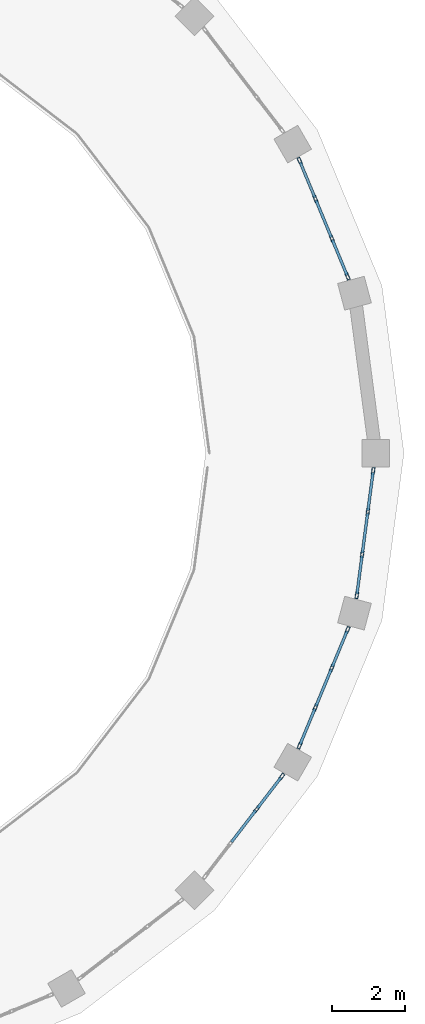
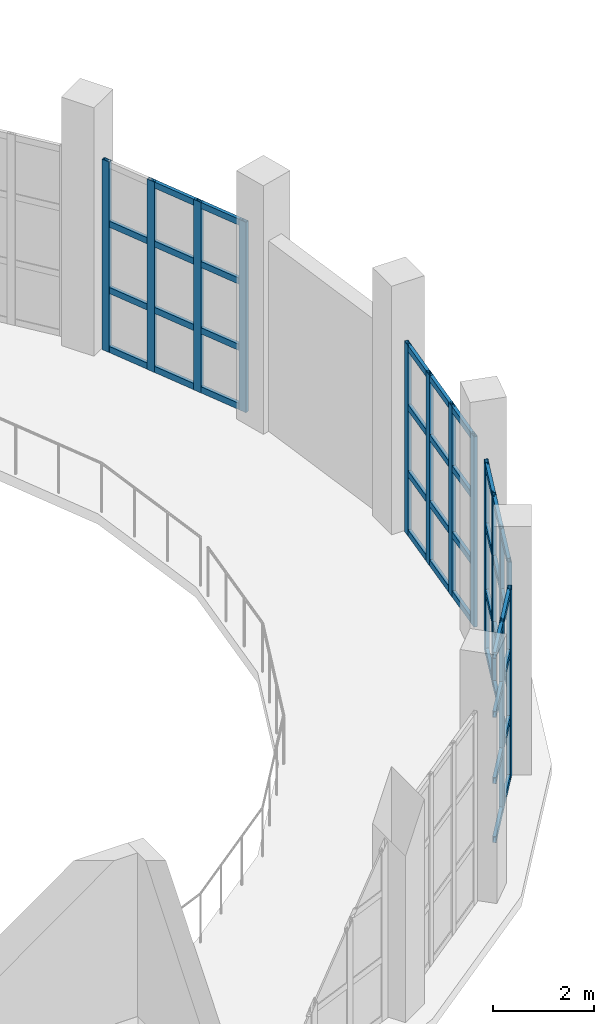
# One storey, part 32 of 59: 57 members, 4 elements without a shape of their own.
"""IFC4 building model written with IfcOpenShell, lengths in metres."""

import ifcopenshell
import ifcopenshell.guid

model = None  # the IFC model being written
_history = None  # IfcOwnerHistory: only IFC2X3 demands one
_inside = {}  # id of a spatial element -> (the spatial element, [elements in it])
_under = {}  # id of a project, library or spatial element -> (it, [spatial elements below it])
_declared = {}  # id of a project -> (the project, [libraries it declares])
_typed = {}  # id of a type object -> (the type object, [elements of that type])
_made_of = {}  # id of a material, layer set ... -> (it, [elements and type objects made of it])


def new_model(schema):
    """Start an empty IFC model of exactly this schema.

    Asked for "IFC4X3", IfcOpenShell would pick the latest addendum, in which some entities
    have other attributes; the version numbers below select the first issue.
    IFC2X3 requires an IfcOwnerHistory on every rooted entity: one is made here for all.
    """
    global model, _history
    if schema == "IFC4X3":
        model = ifcopenshell.file(schema_version=(4, 3, 0, 0))
    else:
        model = ifcopenshell.file(schema=schema)
    _inside.clear()
    _under.clear()
    _declared.clear()
    _typed.clear()
    _made_of.clear()
    _history = None
    if model.schema == "IFC2X3":
        org = make("IfcOrganization", Name="unknown")
        user = make(
            "IfcPersonAndOrganization",
            ThePerson=make("IfcPerson", FamilyName="unknown"),
            TheOrganization=org,
        )
        app = make(
            "IfcApplication",
            ApplicationDeveloper=org,
            Version="unknown",
            ApplicationFullName="unknown",
            ApplicationIdentifier="unknown",
        )
        _history = make(
            "IfcOwnerHistory",
            OwningUser=user,
            OwningApplication=app,
            ChangeAction="ADDED",
            CreationDate=0,
        )
    return model


def make(cls, **values):
    """One entity of the class cls with the attributes given. An attribute that is None is left unset."""
    return model.create_entity(
        cls, **{name: value for name, value in values.items() if value is not None}
    )


def rooted(cls, **values):
    """An entity with a GlobalId (a new one), such as an element, a storey or a relation."""
    return make(cls, GlobalId=ifcopenshell.guid.new(), OwnerHistory=_history, **values)


def si_unit(unit_type, name, prefix=None):
    """IfcSIUnit, for example si_unit("LENGTHUNIT", "METRE", prefix="MILLI")."""
    return make("IfcSIUnit", UnitType=unit_type, Prefix=prefix, Name=name)


def assignment(units):
    """IfcUnitAssignment: the units of a project."""
    return None if units is None else make("IfcUnitAssignment", Units=units)


def point(xyz):
    """IfcCartesianPoint."""
    return None if xyz is None else make("IfcCartesianPoint", Coordinates=xyz)


def direction(xyz):
    """IfcDirection."""
    return None if xyz is None else make("IfcDirection", DirectionRatios=xyz)


def frame(location, z_axis=None, x_axis=None):
    """IfcAxis2Placement3D, a coordinate frame: its origin and axes. An axis left out is left unset."""
    return make(
        "IfcAxis2Placement3D",
        Location=point(location),
        Axis=direction(z_axis),
        RefDirection=direction(x_axis),
    )


def frame_2d(location, x_axis=None):
    """IfcAxis2Placement2D, a coordinate frame in the plane: its origin and x axis."""
    return make(
        "IfcAxis2Placement2D", Location=point(location), RefDirection=direction(x_axis)
    )


def origin():
    """The frame at (0, 0, 0) with its axes left unset."""
    return frame((0.0, 0.0, 0.0))


def origin_2d():
    """The frame at (0, 0) in the plane with its x axis left unset."""
    return frame_2d((0.0, 0.0))


def place(relative_to, where):
    """IfcLocalPlacement: puts the frame where relative to a parent placement (None: the world)."""
    return make(
        "IfcLocalPlacement", PlacementRelTo=relative_to, RelativePlacement=where
    )


def context(
    kind, dimensions, precision=None, world=None, true_north=None, identifier=None
):
    """IfcGeometricRepresentationContext, for example the 3D "Model" context."""
    return make(
        "IfcGeometricRepresentationContext",
        ContextIdentifier=identifier,
        ContextType=kind,
        CoordinateSpaceDimension=dimensions,
        Precision=precision,
        WorldCoordinateSystem=world,
        TrueNorth=true_north,
    )


def subcontext(parent, identifier, kind, view, scale=None):
    """IfcGeometricRepresentationSubContext, for example "Body" below "Model"."""
    return make(
        "IfcGeometricRepresentationSubContext",
        ContextIdentifier=identifier,
        ContextType=kind,
        ParentContext=parent,
        TargetScale=scale,
        TargetView=view,
    )


def project(units=None, contexts=None):
    """IfcProject with its units and contexts."""
    return rooted(
        "IfcProject",
        Name="project",
        RepresentationContexts=contexts,
        UnitsInContext=assignment(units),
    )


def spatial(cls, under=None, at=None, **own):
    """A site, building, storey or space (cls), placed at a placement, below another one or the project."""
    s = rooted(cls, ObjectPlacement=at, **own)
    if under is not None:
        _under.setdefault(under.id(), (under, []))[1].append(s)
    return s


def profile(cls, at=None, kind="AREA", **sizes):
    """A parametric profile (cls). Its sizes go by their IFC names, for example OverallWidth=200.0."""
    return make(cls, ProfileType=kind, Position=at, **sizes)


def hollow_rectangle(**sizes):
    """IfcRectangleHollowProfileDef."""
    return profile("IfcRectangleHollowProfileDef", **sizes)


def extrude(swept, where, along, depth):
    """IfcExtrudedAreaSolid: the profile swept, set in the frame where, extruded along a direction by depth."""
    return make(
        "IfcExtrudedAreaSolid",
        SweptArea=swept,
        Position=where,
        ExtrudedDirection=direction(along),
        Depth=depth,
    )


def shape(context_of_items, identifier, shape_type, items):
    """IfcShapeRepresentation: the items that make up one representation, for example the "Body"."""
    return make(
        "IfcShapeRepresentation",
        ContextOfItems=context_of_items,
        RepresentationIdentifier=identifier,
        RepresentationType=shape_type,
        Items=items,
    )


def material(Name=None, Category=None):
    """IfcMaterial."""
    return make("IfcMaterial", Name=Name, Category=Category)


def layer(
    of_material, thickness, ventilated=None, Name=None, Category=None, Priority=None
):
    """IfcMaterialLayer: one layer of a wall or slab, of a material (None: an air gap)."""
    return make(
        "IfcMaterialLayer",
        Material=of_material,
        LayerThickness=thickness,
        IsVentilated=ventilated,
        Name=Name,
        Category=Category,
        Priority=Priority,
    )


def layer_set(layers, Name=None):
    """IfcMaterialLayerSet."""
    return make("IfcMaterialLayerSet", MaterialLayers=layers, LayerSetName=Name)


def material_profile(
    of_material, cross_section, Name=None, Category=None, Priority=None
):
    """IfcMaterialProfile: a cross section and its material."""
    return make(
        "IfcMaterialProfile",
        Name=Name,
        Material=of_material,
        Profile=cross_section,
        Priority=Priority,
        Category=Category,
    )


def profile_set(profiles, Name=None, composite=None):
    """IfcMaterialProfileSet."""
    return make(
        "IfcMaterialProfileSet",
        Name=Name,
        MaterialProfiles=profiles,
        CompositeProfile=composite,
    )


def made_of(thing, what):
    """Note that an element or type object is made of a material, layer set ...; save() writes the relation."""
    if what is not None:
        _made_of.setdefault(what.id(), (what, []))[1].append(thing)
    return thing


def type_object(cls, material=None, **own):
    """A type object (cls), such as IfcWallType, which elements share."""
    return made_of(rooted(cls, **own), material)


def element(
    cls,
    number,
    at=None,
    inside=None,
    cuts=None,
    type_object=None,
    material=None,
    context=None,
    identifier="Body",
    shape_type=None,
    held_by="IfcProductDefinitionShape",
    body=None,
    shapes=None,
    **own,
):
    """One element of the class cls, such as IfcWall. Its Tag is "e" and its number.

    at: its placement. inside: the storey or other place that contains it. cuts: it is an
    opening in that element (IfcRelVoidsElement). A single representation is given by context,
    identifier, shape_type and body (its items); several are given by shapes. held_by: the class
    of the entity that holds the representations. save() writes the other relations.
    """
    e = rooted(cls, Tag="e%d" % number, ObjectPlacement=at, **own)
    if body is not None:
        shapes = [shape(context, identifier, shape_type, body)]
    if shapes is not None:
        e.Representation = make(held_by, Representations=shapes)
    if inside is not None:
        _inside.setdefault(inside.id(), (inside, []))[1].append(e)
    if cuts is not None:
        rooted(
            "IfcRelVoidsElement", RelatingBuildingElement=cuts, RelatedOpeningElement=e
        )
    if type_object is not None:
        _typed.setdefault(type_object.id(), (type_object, []))[1].append(e)
    return made_of(e, material)


def aggregate(whole, parts):
    """IfcRelAggregates: a whole, such as a stair, and the parts it consists of."""
    return rooted("IfcRelAggregates", RelatingObject=whole, RelatedObjects=parts)


def save(model, path):
    """Write the relations noted so far, then the file.

    IfcRelAggregates (storeys below a building ...), IfcRelContainedInSpatialStructure (elements
    in a storey), IfcRelDefinesByType, IfcRelAssociatesMaterial and IfcRelDeclares: one each for
    every whole, place, type object, material and project.
    """
    for whole, parts in _under.values():
        aggregate(whole, parts)
    for where, things in _inside.values():
        rooted(
            "IfcRelContainedInSpatialStructure",
            RelatedElements=things,
            RelatingStructure=where,
        )
    for kind, things in _typed.values():
        rooted("IfcRelDefinesByType", RelatedObjects=things, RelatingType=kind)
    for what, things in _made_of.values():
        rooted("IfcRelAssociatesMaterial", RelatedObjects=things, RelatingMaterial=what)
    for by, libraries in _declared.values():
        rooted("IfcRelDeclares", RelatingContext=by, RelatedDefinitions=libraries)
    model.write(path)


model = new_model("IFC4")

# Units and contexts
model_context = context("Model", 3, precision=1e-05, world=origin(), true_north=direction((0.0, 1.0)))
body_context = subcontext(model_context, "Body", "Model", "MODEL_VIEW")
ifc_project = project(units=[si_unit("LENGTHUNIT", "METRE"), si_unit("AREAUNIT", "SQUARE_METRE"), si_unit("VOLUMEUNIT", "CUBIC_METRE"), si_unit("PLANEANGLEUNIT", "RADIAN"), si_unit("MASSUNIT", "GRAM", prefix="KILO")], contexts=[model_context])

# Site, building, storey
site_placement = place(None, origin())
site = spatial("IfcSite", under=ifc_project, at=site_placement, CompositionType="ELEMENT")
building_placement = place(site_placement, origin())
building = spatial("IfcBuilding", under=site, at=building_placement, Name="Kandorven Conservatory and Botanical Research Centre", CompositionType="ELEMENT")
storey_placement = place(building_placement, frame((0.0, 0.0, 4.800048828125)))
storey = spatial("IfcBuildingStorey", under=building, at=storey_placement, Name="L01", CompositionType="ELEMENT", Elevation=4.800048828125)

# Curtain wall, members
ifc_material_1 = material(Name="Bronze anodised thermally broken aluminium", Category="aluminium")
ifc_layer = layer(ifc_material_1, 0.179931640625)
ifc_layer_set = layer_set([ifc_layer], Name="Bronze anodised thermally broken aluminium")
curtain_wall_type = type_object("IfcCurtainWallType", Name="CW_Clerestory", PredefinedType="USERDEFINED", material=ifc_layer_set)
curtain_wall_1_placement = place(storey_placement, origin())
curtain_wall_1 = element("IfcCurtainWall", 1, at=curtain_wall_1_placement, inside=storey, type_object=curtain_wall_type, Name="Conservatory drum clerestory glazing CW-DRUM-L01-02", ObjectType="CLERESTORY GLAZING", PredefinedType="USERDEFINED")
ifc_material_2 = material(Name="Bronze anodised thermally broken aluminium", Category="aluminium")
ifc_material_profile_1 = material_profile(ifc_material_2, hollow_rectangle(XDim=0.080078125, YDim=0.179931640625, WallThickness=0.006103515625, at=origin_2d()))
ifc_profile_set_1 = profile_set([ifc_material_profile_1], Name="Bronze anodised thermally broken aluminium")
member_type_1 = type_object("IfcMemberType", Name="CW_Mullion", PredefinedType="MULLION", material=ifc_profile_set_1)
member_1_placement = place(storey_placement, frame((103.664306640625, 52.607177734375, 0.0), z_axis=(0.0, 0.0, 1.0), x_axis=(-0.92388561262, -0.382668753353, 0.0)))
member_1 = element("IfcMember", 2, at=member_1_placement, type_object=member_type_1, Name="CW-02 mullion 1", PredefinedType="MULLION", context=body_context, shape_type="SweptSolid", body=[
    extrude(hollow_rectangle(XDim=0.080078125, YDim=0.179931640625, WallThickness=0.006103515625, at=origin_2d()), origin(), (0.0, 0.0, 1.0), 4.599853515625),
])
member_2_placement = place(storey_placement, frame((103.234130859375, 53.645751953125, 0.0), z_axis=(0.0, 0.0, 1.0), x_axis=(-0.92388561262, -0.382668753353, 0.0)))
member_2 = element("IfcMember", 3, at=member_2_placement, type_object=member_type_1, Name="CW-02 mullion 2", PredefinedType="MULLION", context=body_context, shape_type="SweptSolid", body=[
    extrude(hollow_rectangle(XDim=0.080078125, YDim=0.179931640625, WallThickness=0.006103515625, at=origin_2d()), origin(), (0.0, 0.0, 1.0), 4.599853515625),
])
member_3_placement = place(storey_placement, frame((102.78857421875, 54.72119140625, 0.0), z_axis=(0.0, 0.0, 1.0), x_axis=(-0.92388561262, -0.382668753353, 0.0)))
member_3 = element("IfcMember", 4, at=member_3_placement, type_object=member_type_1, Name="CW-02 mullion 3", PredefinedType="MULLION", context=body_context, shape_type="SweptSolid", body=[
    extrude(hollow_rectangle(XDim=0.080078125, YDim=0.179931640625, WallThickness=0.006103515625, at=origin_2d()), origin(), (0.0, 0.0, 1.0), 4.599853515625),
])
member_4_placement = place(storey_placement, frame((102.3583984375, 55.759765625, 0.0), z_axis=(0.0, 0.0, 1.0), x_axis=(-0.92388561262, -0.382668753353, 0.0)))
member_4 = element("IfcMember", 5, at=member_4_placement, type_object=member_type_1, Name="CW-02 mullion 4", PredefinedType="MULLION", context=body_context, shape_type="SweptSolid", body=[
    extrude(hollow_rectangle(XDim=0.080078125, YDim=0.179931640625, WallThickness=0.006103515625, at=origin_2d()), origin(), (0.0, 0.0, 1.0), 4.599853515625),
])

curtain_wall_2_placement = place(storey_placement, origin())
curtain_wall_2 = element("IfcCurtainWall", 6, at=curtain_wall_2_placement, inside=storey, type_object=curtain_wall_type, Name="Conservatory drum clerestory glazing CW-DRUM-L01-22", ObjectType="CLERESTORY GLAZING", PredefinedType="USERDEFINED")
member_5_placement = place(storey_placement, frame((101.188232421875, 38.10693359375, 0.0), z_axis=(0.0, 0.0, 1.0), x_axis=(-0.793347276456, 0.608769331471, 0.0)))
member_5 = element("IfcMember", 7, at=member_5_placement, type_object=member_type_1, Name="CW-02 mullion 3", PredefinedType="MULLION", context=body_context, shape_type="SweptSolid", body=[
    extrude(hollow_rectangle(XDim=0.080078125, YDim=0.179931640625, WallThickness=0.006103515625, at=origin_2d()), origin(), (0.0, 0.0, 1.0), 4.599853515625),
])
member_6_placement = place(storey_placement, frame((101.87255859375, 38.998779296875, 0.0), z_axis=(0.0, 0.0, 1.0), x_axis=(-0.793347276456, 0.608769331471, 0.0)))
member_6 = element("IfcMember", 8, at=member_6_placement, type_object=member_type_1, Name="CW-02 mullion 4", PredefinedType="MULLION", context=body_context, shape_type="SweptSolid", body=[
    extrude(hollow_rectangle(XDim=0.080078125, YDim=0.179931640625, WallThickness=0.006103515625, at=origin_2d()), origin(), (0.0, 0.0, 1.0), 4.599853515625),
])

curtain_wall_3_placement = place(storey_placement, origin())
curtain_wall_3 = element("IfcCurtainWall", 9, at=curtain_wall_3_placement, inside=storey, type_object=curtain_wall_type, Name="Conservatory drum clerestory glazing CW-DRUM-L01-23", ObjectType="CLERESTORY GLAZING", PredefinedType="USERDEFINED")
member_7_placement = place(storey_placement, frame((102.3583984375, 39.840087890625, 0.0), z_axis=(0.0, 0.0, 1.0), x_axis=(-0.92388561262, 0.382668753353, 0.0)))
member_7 = element("IfcMember", 10, at=member_7_placement, type_object=member_type_1, Name="CW-02 mullion 1", PredefinedType="MULLION", context=body_context, shape_type="SweptSolid", body=[
    extrude(hollow_rectangle(XDim=0.080078125, YDim=0.179931640625, WallThickness=0.006103515625, at=origin_2d()), origin(), (0.0, 0.0, 1.0), 4.599853515625),
])
member_8_placement = place(storey_placement, frame((102.78857421875, 40.878662109375, 0.0), z_axis=(0.0, 0.0, 1.0), x_axis=(-0.92388561262, 0.382668753353, 0.0)))
member_8 = element("IfcMember", 11, at=member_8_placement, type_object=member_type_1, Name="CW-02 mullion 2", PredefinedType="MULLION", context=body_context, shape_type="SweptSolid", body=[
    extrude(hollow_rectangle(XDim=0.080078125, YDim=0.179931640625, WallThickness=0.006103515625, at=origin_2d()), origin(), (0.0, 0.0, 1.0), 4.599853515625),
])
member_9_placement = place(storey_placement, frame((103.234130859375, 41.9541015625, 0.0), z_axis=(0.0, 0.0, 1.0), x_axis=(-0.92388561262, 0.382668753353, 0.0)))
member_9 = element("IfcMember", 12, at=member_9_placement, type_object=member_type_1, Name="CW-02 mullion 3", PredefinedType="MULLION", context=body_context, shape_type="SweptSolid", body=[
    extrude(hollow_rectangle(XDim=0.080078125, YDim=0.179931640625, WallThickness=0.006103515625, at=origin_2d()), origin(), (0.0, 0.0, 1.0), 4.599853515625),
])
member_10_placement = place(storey_placement, frame((103.664306640625, 42.99267578125, 0.0), z_axis=(0.0, 0.0, 1.0), x_axis=(-0.92388561262, 0.382668753353, 0.0)))
member_10 = element("IfcMember", 13, at=member_10_placement, type_object=member_type_1, Name="CW-02 mullion 4", PredefinedType="MULLION", context=body_context, shape_type="SweptSolid", body=[
    extrude(hollow_rectangle(XDim=0.080078125, YDim=0.179931640625, WallThickness=0.006103515625, at=origin_2d()), origin(), (0.0, 0.0, 1.0), 4.599853515625),
])

curtain_wall_4_placement = place(storey_placement, origin())
curtain_wall_4 = element("IfcCurtainWall", 14, at=curtain_wall_4_placement, inside=storey, type_object=curtain_wall_type, Name="Conservatory drum clerestory glazing CW-DRUM-L01-24", ObjectType="CLERESTORY GLAZING", PredefinedType="USERDEFINED")
member_11_placement = place(storey_placement, frame((103.91552734375, 43.93115234375, 0.0), z_axis=(0.0, 0.0, 1.0), x_axis=(-0.991441424913, 0.130552292075, 0.0)))
member_11 = element("IfcMember", 15, at=member_11_placement, type_object=member_type_1, Name="CW-02 mullion 1", PredefinedType="MULLION", context=body_context, shape_type="SweptSolid", body=[
    extrude(hollow_rectangle(XDim=0.080078125, YDim=0.179931640625, WallThickness=0.006103515625, at=origin_2d()), origin(), (0.0, 0.0, 1.0), 4.599853515625),
])
member_12_placement = place(storey_placement, frame((104.062255859375, 45.045654296875, 0.0), z_axis=(0.0, 0.0, 1.0), x_axis=(-0.991441424913, 0.130552292075, 0.0)))
member_12 = element("IfcMember", 16, at=member_12_placement, type_object=member_type_1, Name="CW-02 mullion 2", PredefinedType="MULLION", context=body_context, shape_type="SweptSolid", body=[
    extrude(hollow_rectangle(XDim=0.080078125, YDim=0.179931640625, WallThickness=0.006103515625, at=origin_2d()), origin(), (0.0, 0.0, 1.0), 4.599853515625),
])
member_13_placement = place(storey_placement, frame((104.21435546875, 46.19970703125, 0.0), z_axis=(0.0, 0.0, 1.0), x_axis=(-0.991441424913, 0.130552292075, 0.0)))
member_13 = element("IfcMember", 17, at=member_13_placement, type_object=member_type_1, Name="CW-02 mullion 3", PredefinedType="MULLION", context=body_context, shape_type="SweptSolid", body=[
    extrude(hollow_rectangle(XDim=0.080078125, YDim=0.179931640625, WallThickness=0.006103515625, at=origin_2d()), origin(), (0.0, 0.0, 1.0), 4.599853515625),
])
member_14_placement = place(storey_placement, frame((104.361083984375, 47.314208984375, 0.0), z_axis=(0.0, 0.0, 1.0), x_axis=(-0.991441424913, 0.130552292075, 0.0)))
member_14 = element("IfcMember", 18, at=member_14_placement, type_object=member_type_1, Name="CW-02 mullion 4", PredefinedType="MULLION", context=body_context, shape_type="SweptSolid", body=[
    extrude(hollow_rectangle(XDim=0.080078125, YDim=0.179931640625, WallThickness=0.006103515625, at=origin_2d()), origin(), (0.0, 0.0, 1.0), 4.599853515625),
])

# Member
ifc_material_3 = material(Name="Bronze anodised thermally broken aluminium", Category="aluminium")
ifc_material_profile_2 = material_profile(ifc_material_3, hollow_rectangle(XDim=0.074951171875, YDim=0.14990234375, WallThickness=0.006103515625, at=origin_2d()))
ifc_profile_set_2 = profile_set([ifc_material_profile_2], Name="Bronze anodised thermally broken aluminium")
member_type_2 = type_object("IfcMemberType", Name="CW_Transom", PredefinedType="USERDEFINED", material=ifc_profile_set_2)
member_15_placement = place(storey_placement, frame((103.64892578125, 52.644287109375, 0.074951171875), z_axis=(-0.382771688877, 0.923842970528, 0.0), x_axis=(-0.923842970528, -0.382771688877, 0.0)))
member_15 = element("IfcMember", 19, at=member_15_placement, type_object=member_type_2, Name="CW-02 transom 1.1", ObjectType="TRANSOM", PredefinedType="USERDEFINED", context=body_context, shape_type="SweptSolid", body=[
    extrude(hollow_rectangle(XDim=0.074951171875, YDim=0.14990234375, WallThickness=0.006103515625, at=origin_2d()), origin(), (0.0, 0.0, 1.0), 1.044189453125),
])

member_16_placement = place(storey_placement, frame((103.64892578125, 52.644287109375, 1.5), z_axis=(-0.382771688877, 0.923842970528, 0.0), x_axis=(-0.923842970528, -0.382771688877, 0.0)))
member_16 = element("IfcMember", 20, at=member_16_placement, type_object=member_type_2, Name="CW-02 transom 1.2", ObjectType="TRANSOM", PredefinedType="USERDEFINED", context=body_context, shape_type="SweptSolid", body=[
    extrude(hollow_rectangle(XDim=0.074951171875, YDim=0.14990234375, WallThickness=0.006103515625, at=origin_2d()), origin(), (0.0, 0.0, 1.0), 1.044189453125),
])

member_17_placement = place(storey_placement, frame((103.64892578125, 52.644287109375, 3.099853515625), z_axis=(-0.382771688877, 0.923842970528, 0.0), x_axis=(-0.923842970528, -0.382771688877, 0.0)))
member_17 = element("IfcMember", 21, at=member_17_placement, type_object=member_type_2, Name="CW-02 transom 1.3", ObjectType="TRANSOM", PredefinedType="USERDEFINED", context=body_context, shape_type="SweptSolid", body=[
    extrude(hollow_rectangle(XDim=0.074951171875, YDim=0.14990234375, WallThickness=0.006103515625, at=origin_2d()), origin(), (0.0, 0.0, 1.0), 1.044189453125),
])

member_18_placement = place(storey_placement, frame((103.64892578125, 52.644287109375, 4.52490234375), z_axis=(-0.382771688877, 0.923842970528, 0.0), x_axis=(-0.923842970528, -0.382771688877, 0.0)))
member_18 = element("IfcMember", 22, at=member_18_placement, type_object=member_type_2, Name="CW-02 transom 1.4", ObjectType="TRANSOM", PredefinedType="USERDEFINED", context=body_context, shape_type="SweptSolid", body=[
    extrude(hollow_rectangle(XDim=0.074951171875, YDim=0.14990234375, WallThickness=0.006103515625, at=origin_2d()), origin(), (0.0, 0.0, 1.0), 1.044189453125),
])

member_19_placement = place(storey_placement, frame((103.21875, 53.682861328125, 0.074951171875), z_axis=(-0.382663432515, 0.923887816467, 0.0), x_axis=(-0.923887816467, -0.382663432515, 0.0)))
member_19 = element("IfcMember", 23, at=member_19_placement, type_object=member_type_2, Name="CW-02 transom 2.1", ObjectType="TRANSOM", PredefinedType="USERDEFINED", context=body_context, shape_type="SweptSolid", body=[
    extrude(hollow_rectangle(XDim=0.074951171875, YDim=0.14990234375, WallThickness=0.006103515625, at=origin_2d()), origin(), (0.0, 0.0, 1.0), 1.083984375),
])

member_20_placement = place(storey_placement, frame((103.21875, 53.682861328125, 1.5), z_axis=(-0.382663432515, 0.923887816467, 0.0), x_axis=(-0.923887816467, -0.382663432515, 0.0)))
member_20 = element("IfcMember", 24, at=member_20_placement, type_object=member_type_2, Name="CW-02 transom 2.2", ObjectType="TRANSOM", PredefinedType="USERDEFINED", context=body_context, shape_type="SweptSolid", body=[
    extrude(hollow_rectangle(XDim=0.074951171875, YDim=0.14990234375, WallThickness=0.006103515625, at=origin_2d()), origin(), (0.0, 0.0, 1.0), 1.083984375),
])

member_21_placement = place(storey_placement, frame((103.21875, 53.682861328125, 3.099853515625), z_axis=(-0.382663432515, 0.923887816467, 0.0), x_axis=(-0.923887816467, -0.382663432515, 0.0)))
member_21 = element("IfcMember", 25, at=member_21_placement, type_object=member_type_2, Name="CW-02 transom 2.3", ObjectType="TRANSOM", PredefinedType="USERDEFINED", context=body_context, shape_type="SweptSolid", body=[
    extrude(hollow_rectangle(XDim=0.074951171875, YDim=0.14990234375, WallThickness=0.006103515625, at=origin_2d()), origin(), (0.0, 0.0, 1.0), 1.083984375),
])

member_22_placement = place(storey_placement, frame((103.21875, 53.682861328125, 4.52490234375), z_axis=(-0.382663432515, 0.923887816467, 0.0), x_axis=(-0.923887816467, -0.382663432515, 0.0)))
member_22 = element("IfcMember", 26, at=member_22_placement, type_object=member_type_2, Name="CW-02 transom 2.4", ObjectType="TRANSOM", PredefinedType="USERDEFINED", context=body_context, shape_type="SweptSolid", body=[
    extrude(hollow_rectangle(XDim=0.074951171875, YDim=0.14990234375, WallThickness=0.006103515625, at=origin_2d()), origin(), (0.0, 0.0, 1.0), 1.083984375),
])

member_23_placement = place(storey_placement, frame((102.773193359375, 54.75830078125, 0.074951171875), z_axis=(-0.382572095676, 0.923925641819, 0.0), x_axis=(-0.923925641819, -0.382572095676, 0.0)))
member_23 = element("IfcMember", 27, at=member_23_placement, type_object=member_type_2, Name="CW-02 transom 3.1", ObjectType="TRANSOM", PredefinedType="USERDEFINED", context=body_context, shape_type="SweptSolid", body=[
    extrude(hollow_rectangle(XDim=0.074951171875, YDim=0.14990234375, WallThickness=0.006103515625, at=origin_2d()), origin(), (0.0, 0.0, 1.0), 1.0439453125),
])

member_24_placement = place(storey_placement, frame((102.773193359375, 54.75830078125, 1.5), z_axis=(-0.382572095676, 0.923925641819, 0.0), x_axis=(-0.923925641819, -0.382572095676, 0.0)))
member_24 = element("IfcMember", 28, at=member_24_placement, type_object=member_type_2, Name="CW-02 transom 3.2", ObjectType="TRANSOM", PredefinedType="USERDEFINED", context=body_context, shape_type="SweptSolid", body=[
    extrude(hollow_rectangle(XDim=0.074951171875, YDim=0.14990234375, WallThickness=0.006103515625, at=origin_2d()), origin(), (0.0, 0.0, 1.0), 1.0439453125),
])

member_25_placement = place(storey_placement, frame((102.773193359375, 54.75830078125, 3.099853515625), z_axis=(-0.382572095676, 0.923925641819, 0.0), x_axis=(-0.923925641819, -0.382572095676, 0.0)))
member_25 = element("IfcMember", 29, at=member_25_placement, type_object=member_type_2, Name="CW-02 transom 3.3", ObjectType="TRANSOM", PredefinedType="USERDEFINED", context=body_context, shape_type="SweptSolid", body=[
    extrude(hollow_rectangle(XDim=0.074951171875, YDim=0.14990234375, WallThickness=0.006103515625, at=origin_2d()), origin(), (0.0, 0.0, 1.0), 1.0439453125),
])

aggregate(curtain_wall_1, [member_1, member_2, member_3, member_4, member_15, member_16, member_17, member_18, member_19, member_20, member_21, member_22, member_23, member_24, member_25])

member_26_placement = place(storey_placement, frame((100.50390625, 37.215087890625, 0.074951171875), z_axis=(0.608861626468, 0.793276446023, 0.0), x_axis=(-0.793276446023, 0.608861626468, 0.0)))
member_26 = element("IfcMember", 30, at=member_26_placement, type_object=member_type_2, Name="CW-02 transom 2.1", ObjectType="TRANSOM", PredefinedType="USERDEFINED", context=body_context, shape_type="SweptSolid", body=[
    extrude(hollow_rectangle(XDim=0.074951171875, YDim=0.14990234375, WallThickness=0.006103515625, at=origin_2d()), origin(), (0.0, 0.0, 1.0), 1.084228515625),
])

member_27_placement = place(storey_placement, frame((100.50390625, 37.215087890625, 1.5), z_axis=(0.608861626468, 0.793276446023, 0.0), x_axis=(-0.793276446023, 0.608861626468, 0.0)))
member_27 = element("IfcMember", 31, at=member_27_placement, type_object=member_type_2, Name="CW-02 transom 2.2", ObjectType="TRANSOM", PredefinedType="USERDEFINED", context=body_context, shape_type="SweptSolid", body=[
    extrude(hollow_rectangle(XDim=0.074951171875, YDim=0.14990234375, WallThickness=0.006103515625, at=origin_2d()), origin(), (0.0, 0.0, 1.0), 1.084228515625),
])

member_28_placement = place(storey_placement, frame((100.50390625, 37.215087890625, 3.099853515625), z_axis=(0.608861626468, 0.793276446023, 0.0), x_axis=(-0.793276446023, 0.608861626468, 0.0)))
member_28 = element("IfcMember", 32, at=member_28_placement, type_object=member_type_2, Name="CW-02 transom 2.3", ObjectType="TRANSOM", PredefinedType="USERDEFINED", context=body_context, shape_type="SweptSolid", body=[
    extrude(hollow_rectangle(XDim=0.074951171875, YDim=0.14990234375, WallThickness=0.006103515625, at=origin_2d()), origin(), (0.0, 0.0, 1.0), 1.084228515625),
])

member_29_placement = place(storey_placement, frame((100.50390625, 37.215087890625, 4.52490234375), z_axis=(0.608861626468, 0.793276446023, 0.0), x_axis=(-0.793276446023, 0.608861626468, 0.0)))
member_29 = element("IfcMember", 33, at=member_29_placement, type_object=member_type_2, Name="CW-02 transom 2.4", ObjectType="TRANSOM", PredefinedType="USERDEFINED", context=body_context, shape_type="SweptSolid", body=[
    extrude(hollow_rectangle(XDim=0.074951171875, YDim=0.14990234375, WallThickness=0.006103515625, at=origin_2d()), origin(), (0.0, 0.0, 1.0), 1.084228515625),
])

member_30_placement = place(storey_placement, frame((101.212646484375, 38.138671875, 0.074951171875), z_axis=(0.608829050876, 0.793301447628, 0.0), x_axis=(-0.793301447628, 0.608829050876, 0.0)))
member_30 = element("IfcMember", 34, at=member_30_placement, type_object=member_type_2, Name="CW-02 transom 3.1", ObjectType="TRANSOM", PredefinedType="USERDEFINED", context=body_context, shape_type="SweptSolid", body=[
    extrude(hollow_rectangle(XDim=0.074951171875, YDim=0.14990234375, WallThickness=0.006103515625, at=origin_2d()), origin(), (0.0, 0.0, 1.0), 1.044189453125),
])

member_31_placement = place(storey_placement, frame((101.212646484375, 38.138671875, 1.5), z_axis=(0.608829050876, 0.793301447628, 0.0), x_axis=(-0.793301447628, 0.608829050876, 0.0)))
member_31 = element("IfcMember", 35, at=member_31_placement, type_object=member_type_2, Name="CW-02 transom 3.2", ObjectType="TRANSOM", PredefinedType="USERDEFINED", context=body_context, shape_type="SweptSolid", body=[
    extrude(hollow_rectangle(XDim=0.074951171875, YDim=0.14990234375, WallThickness=0.006103515625, at=origin_2d()), origin(), (0.0, 0.0, 1.0), 1.044189453125),
])

member_32_placement = place(storey_placement, frame((101.212646484375, 38.138671875, 3.099853515625), z_axis=(0.608829050876, 0.793301447628, 0.0), x_axis=(-0.793301447628, 0.608829050876, 0.0)))
member_32 = element("IfcMember", 36, at=member_32_placement, type_object=member_type_2, Name="CW-02 transom 3.3", ObjectType="TRANSOM", PredefinedType="USERDEFINED", context=body_context, shape_type="SweptSolid", body=[
    extrude(hollow_rectangle(XDim=0.074951171875, YDim=0.14990234375, WallThickness=0.006103515625, at=origin_2d()), origin(), (0.0, 0.0, 1.0), 1.044189453125),
])

member_33_placement = place(storey_placement, frame((101.212646484375, 38.138671875, 4.52490234375), z_axis=(0.608829050876, 0.793301447628, 0.0), x_axis=(-0.793301447628, 0.608829050876, 0.0)))
member_33 = element("IfcMember", 37, at=member_33_placement, type_object=member_type_2, Name="CW-02 transom 3.4", ObjectType="TRANSOM", PredefinedType="USERDEFINED", context=body_context, shape_type="SweptSolid", body=[
    extrude(hollow_rectangle(XDim=0.074951171875, YDim=0.14990234375, WallThickness=0.006103515625, at=origin_2d()), origin(), (0.0, 0.0, 1.0), 1.044189453125),
])

aggregate(curtain_wall_2, [member_5, member_6, member_26, member_27, member_28, member_29, member_30, member_31, member_32, member_33])

member_34_placement = place(storey_placement, frame((102.373779296875, 39.877197265625, 0.074951171875), z_axis=(0.382572095676, 0.923925641819, 0.0), x_axis=(-0.923925641819, 0.382572095676, 0.0)))
member_34 = element("IfcMember", 38, at=member_34_placement, type_object=member_type_2, Name="CW-02 transom 1.1", ObjectType="TRANSOM", PredefinedType="USERDEFINED", context=body_context, shape_type="SweptSolid", body=[
    extrude(hollow_rectangle(XDim=0.074951171875, YDim=0.14990234375, WallThickness=0.006103515625, at=origin_2d()), origin(), (0.0, 0.0, 1.0), 1.0439453125),
])

member_35_placement = place(storey_placement, frame((102.373779296875, 39.877197265625, 1.5), z_axis=(0.382572095676, 0.923925641819, 0.0), x_axis=(-0.923925641819, 0.382572095676, 0.0)))
member_35 = element("IfcMember", 39, at=member_35_placement, type_object=member_type_2, Name="CW-02 transom 1.2", ObjectType="TRANSOM", PredefinedType="USERDEFINED", context=body_context, shape_type="SweptSolid", body=[
    extrude(hollow_rectangle(XDim=0.074951171875, YDim=0.14990234375, WallThickness=0.006103515625, at=origin_2d()), origin(), (0.0, 0.0, 1.0), 1.0439453125),
])

member_36_placement = place(storey_placement, frame((102.373779296875, 39.877197265625, 3.099853515625), z_axis=(0.382572095676, 0.923925641819, 0.0), x_axis=(-0.923925641819, 0.382572095676, 0.0)))
member_36 = element("IfcMember", 40, at=member_36_placement, type_object=member_type_2, Name="CW-02 transom 1.3", ObjectType="TRANSOM", PredefinedType="USERDEFINED", context=body_context, shape_type="SweptSolid", body=[
    extrude(hollow_rectangle(XDim=0.074951171875, YDim=0.14990234375, WallThickness=0.006103515625, at=origin_2d()), origin(), (0.0, 0.0, 1.0), 1.0439453125),
])

member_37_placement = place(storey_placement, frame((102.373779296875, 39.877197265625, 4.52490234375), z_axis=(0.382572095676, 0.923925641819, 0.0), x_axis=(-0.923925641819, 0.382572095676, 0.0)))
member_37 = element("IfcMember", 41, at=member_37_placement, type_object=member_type_2, Name="CW-02 transom 1.4", ObjectType="TRANSOM", PredefinedType="USERDEFINED", context=body_context, shape_type="SweptSolid", body=[
    extrude(hollow_rectangle(XDim=0.074951171875, YDim=0.14990234375, WallThickness=0.006103515625, at=origin_2d()), origin(), (0.0, 0.0, 1.0), 1.0439453125),
])

member_38_placement = place(storey_placement, frame((102.803955078125, 40.915771484375, 0.074951171875), z_axis=(0.382663432515, 0.923887816467, 0.0), x_axis=(-0.923887816467, 0.382663432515, 0.0)))
member_38 = element("IfcMember", 42, at=member_38_placement, type_object=member_type_2, Name="CW-02 transom 2.1", ObjectType="TRANSOM", PredefinedType="USERDEFINED", context=body_context, shape_type="SweptSolid", body=[
    extrude(hollow_rectangle(XDim=0.074951171875, YDim=0.14990234375, WallThickness=0.006103515625, at=origin_2d()), origin(), (0.0, 0.0, 1.0), 1.083984375),
])

member_39_placement = place(storey_placement, frame((102.803955078125, 40.915771484375, 1.5), z_axis=(0.382663432515, 0.923887816467, 0.0), x_axis=(-0.923887816467, 0.382663432515, 0.0)))
member_39 = element("IfcMember", 43, at=member_39_placement, type_object=member_type_2, Name="CW-02 transom 2.2", ObjectType="TRANSOM", PredefinedType="USERDEFINED", context=body_context, shape_type="SweptSolid", body=[
    extrude(hollow_rectangle(XDim=0.074951171875, YDim=0.14990234375, WallThickness=0.006103515625, at=origin_2d()), origin(), (0.0, 0.0, 1.0), 1.083984375),
])

member_40_placement = place(storey_placement, frame((102.803955078125, 40.915771484375, 3.099853515625), z_axis=(0.382663432515, 0.923887816467, 0.0), x_axis=(-0.923887816467, 0.382663432515, 0.0)))
member_40 = element("IfcMember", 44, at=member_40_placement, type_object=member_type_2, Name="CW-02 transom 2.3", ObjectType="TRANSOM", PredefinedType="USERDEFINED", context=body_context, shape_type="SweptSolid", body=[
    extrude(hollow_rectangle(XDim=0.074951171875, YDim=0.14990234375, WallThickness=0.006103515625, at=origin_2d()), origin(), (0.0, 0.0, 1.0), 1.083984375),
])

member_41_placement = place(storey_placement, frame((102.803955078125, 40.915771484375, 4.52490234375), z_axis=(0.382663432515, 0.923887816467, 0.0), x_axis=(-0.923887816467, 0.382663432515, 0.0)))
member_41 = element("IfcMember", 45, at=member_41_placement, type_object=member_type_2, Name="CW-02 transom 2.4", ObjectType="TRANSOM", PredefinedType="USERDEFINED", context=body_context, shape_type="SweptSolid", body=[
    extrude(hollow_rectangle(XDim=0.074951171875, YDim=0.14990234375, WallThickness=0.006103515625, at=origin_2d()), origin(), (0.0, 0.0, 1.0), 1.083984375),
])

member_42_placement = place(storey_placement, frame((103.249267578125, 41.9912109375, 0.074951171875), z_axis=(0.382771688877, 0.923842970528, 0.0), x_axis=(-0.923842970528, 0.382771688877, 0.0)))
member_42 = element("IfcMember", 46, at=member_42_placement, type_object=member_type_2, Name="CW-02 transom 3.1", ObjectType="TRANSOM", PredefinedType="USERDEFINED", context=body_context, shape_type="SweptSolid", body=[
    extrude(hollow_rectangle(XDim=0.074951171875, YDim=0.14990234375, WallThickness=0.006103515625, at=origin_2d()), origin(), (0.0, 0.0, 1.0), 1.044189453125),
])

member_43_placement = place(storey_placement, frame((103.249267578125, 41.9912109375, 1.5), z_axis=(0.382771688877, 0.923842970528, 0.0), x_axis=(-0.923842970528, 0.382771688877, 0.0)))
member_43 = element("IfcMember", 47, at=member_43_placement, type_object=member_type_2, Name="CW-02 transom 3.2", ObjectType="TRANSOM", PredefinedType="USERDEFINED", context=body_context, shape_type="SweptSolid", body=[
    extrude(hollow_rectangle(XDim=0.074951171875, YDim=0.14990234375, WallThickness=0.006103515625, at=origin_2d()), origin(), (0.0, 0.0, 1.0), 1.044189453125),
])

member_44_placement = place(storey_placement, frame((103.249267578125, 41.9912109375, 3.099853515625), z_axis=(0.382771688877, 0.923842970528, 0.0), x_axis=(-0.923842970528, 0.382771688877, 0.0)))
member_44 = element("IfcMember", 48, at=member_44_placement, type_object=member_type_2, Name="CW-02 transom 3.3", ObjectType="TRANSOM", PredefinedType="USERDEFINED", context=body_context, shape_type="SweptSolid", body=[
    extrude(hollow_rectangle(XDim=0.074951171875, YDim=0.14990234375, WallThickness=0.006103515625, at=origin_2d()), origin(), (0.0, 0.0, 1.0), 1.044189453125),
])

member_45_placement = place(storey_placement, frame((103.249267578125, 41.9912109375, 4.52490234375), z_axis=(0.382771688877, 0.923842970528, 0.0), x_axis=(-0.923842970528, 0.382771688877, 0.0)))
member_45 = element("IfcMember", 49, at=member_45_placement, type_object=member_type_2, Name="CW-02 transom 3.4", ObjectType="TRANSOM", PredefinedType="USERDEFINED", context=body_context, shape_type="SweptSolid", body=[
    extrude(hollow_rectangle(XDim=0.074951171875, YDim=0.14990234375, WallThickness=0.006103515625, at=origin_2d()), origin(), (0.0, 0.0, 1.0), 1.044189453125),
])

aggregate(curtain_wall_3, [member_7, member_8, member_9, member_10, member_34, member_35, member_36, member_37, member_38, member_39, member_40, member_41, member_42, member_43, member_44, member_45])

member_46_placement = place(storey_placement, frame((103.9208984375, 43.970947265625, 0.074951171875), z_axis=(0.130478707622, 0.991451111683, 0.0), x_axis=(-0.991451111683, 0.130478707622, 0.0)))
member_46 = element("IfcMember", 50, at=member_46_placement, type_object=member_type_2, Name="CW-02 transom 1.1", ObjectType="TRANSOM", PredefinedType="USERDEFINED", context=body_context, shape_type="SweptSolid", body=[
    extrude(hollow_rectangle(XDim=0.074951171875, YDim=0.14990234375, WallThickness=0.006103515625, at=origin_2d()), origin(), (0.0, 0.0, 1.0), 1.044189453125),
])

member_47_placement = place(storey_placement, frame((103.9208984375, 43.970947265625, 1.5), z_axis=(0.130478707622, 0.991451111683, 0.0), x_axis=(-0.991451111683, 0.130478707622, 0.0)))
member_47 = element("IfcMember", 51, at=member_47_placement, type_object=member_type_2, Name="CW-02 transom 1.2", ObjectType="TRANSOM", PredefinedType="USERDEFINED", context=body_context, shape_type="SweptSolid", body=[
    extrude(hollow_rectangle(XDim=0.074951171875, YDim=0.14990234375, WallThickness=0.006103515625, at=origin_2d()), origin(), (0.0, 0.0, 1.0), 1.044189453125),
])

member_48_placement = place(storey_placement, frame((103.9208984375, 43.970947265625, 3.099853515625), z_axis=(0.130478707622, 0.991451111683, 0.0), x_axis=(-0.991451111683, 0.130478707622, 0.0)))
member_48 = element("IfcMember", 52, at=member_48_placement, type_object=member_type_2, Name="CW-02 transom 1.3", ObjectType="TRANSOM", PredefinedType="USERDEFINED", context=body_context, shape_type="SweptSolid", body=[
    extrude(hollow_rectangle(XDim=0.074951171875, YDim=0.14990234375, WallThickness=0.006103515625, at=origin_2d()), origin(), (0.0, 0.0, 1.0), 1.044189453125),
])

member_49_placement = place(storey_placement, frame((103.9208984375, 43.970947265625, 4.52490234375), z_axis=(0.130478707622, 0.991451111683, 0.0), x_axis=(-0.991451111683, 0.130478707622, 0.0)))
member_49 = element("IfcMember", 53, at=member_49_placement, type_object=member_type_2, Name="CW-02 transom 1.4", ObjectType="TRANSOM", PredefinedType="USERDEFINED", context=body_context, shape_type="SweptSolid", body=[
    extrude(hollow_rectangle(XDim=0.074951171875, YDim=0.14990234375, WallThickness=0.006103515625, at=origin_2d()), origin(), (0.0, 0.0, 1.0), 1.044189453125),
])

member_50_placement = place(storey_placement, frame((104.067626953125, 45.085205078125, 0.074951171875), z_axis=(0.130600129957, 0.991435124481, 0.0), x_axis=(-0.991435124481, 0.130600129957, 0.0)))
member_50 = element("IfcMember", 54, at=member_50_placement, type_object=member_type_2, Name="CW-02 transom 2.1", ObjectType="TRANSOM", PredefinedType="USERDEFINED", context=body_context, shape_type="SweptSolid", body=[
    extrude(hollow_rectangle(XDim=0.074951171875, YDim=0.14990234375, WallThickness=0.006103515625, at=origin_2d()), origin(), (0.0, 0.0, 1.0), 1.084228515625),
])

member_51_placement = place(storey_placement, frame((104.067626953125, 45.085205078125, 1.5), z_axis=(0.130600129957, 0.991435124481, 0.0), x_axis=(-0.991435124481, 0.130600129957, 0.0)))
member_51 = element("IfcMember", 55, at=member_51_placement, type_object=member_type_2, Name="CW-02 transom 2.2", ObjectType="TRANSOM", PredefinedType="USERDEFINED", context=body_context, shape_type="SweptSolid", body=[
    extrude(hollow_rectangle(XDim=0.074951171875, YDim=0.14990234375, WallThickness=0.006103515625, at=origin_2d()), origin(), (0.0, 0.0, 1.0), 1.084228515625),
])

member_52_placement = place(storey_placement, frame((104.067626953125, 45.085205078125, 3.099853515625), z_axis=(0.130600129957, 0.991435124481, 0.0), x_axis=(-0.991435124481, 0.130600129957, 0.0)))
member_52 = element("IfcMember", 56, at=member_52_placement, type_object=member_type_2, Name="CW-02 transom 2.3", ObjectType="TRANSOM", PredefinedType="USERDEFINED", context=body_context, shape_type="SweptSolid", body=[
    extrude(hollow_rectangle(XDim=0.074951171875, YDim=0.14990234375, WallThickness=0.006103515625, at=origin_2d()), origin(), (0.0, 0.0, 1.0), 1.084228515625),
])

member_53_placement = place(storey_placement, frame((104.067626953125, 45.085205078125, 4.52490234375), z_axis=(0.130600129957, 0.991435124481, 0.0), x_axis=(-0.991435124481, 0.130600129957, 0.0)))
member_53 = element("IfcMember", 57, at=member_53_placement, type_object=member_type_2, Name="CW-02 transom 2.4", ObjectType="TRANSOM", PredefinedType="USERDEFINED", context=body_context, shape_type="SweptSolid", body=[
    extrude(hollow_rectangle(XDim=0.074951171875, YDim=0.14990234375, WallThickness=0.006103515625, at=origin_2d()), origin(), (0.0, 0.0, 1.0), 1.084228515625),
])

member_54_placement = place(storey_placement, frame((104.219482421875, 46.239501953125, 0.074951171875), z_axis=(0.130738856749, 0.991416840353, 0.0), x_axis=(-0.991416840353, 0.130738856749, 0.0)))
member_54 = element("IfcMember", 58, at=member_54_placement, type_object=member_type_2, Name="CW-02 transom 3.1", ObjectType="TRANSOM", PredefinedType="USERDEFINED", context=body_context, shape_type="SweptSolid", body=[
    extrude(hollow_rectangle(XDim=0.074951171875, YDim=0.14990234375, WallThickness=0.006103515625, at=origin_2d()), origin(), (0.0, 0.0, 1.0), 1.0439453125),
])

member_55_placement = place(storey_placement, frame((104.219482421875, 46.239501953125, 1.5), z_axis=(0.130738856749, 0.991416840353, 0.0), x_axis=(-0.991416840353, 0.130738856749, 0.0)))
member_55 = element("IfcMember", 59, at=member_55_placement, type_object=member_type_2, Name="CW-02 transom 3.2", ObjectType="TRANSOM", PredefinedType="USERDEFINED", context=body_context, shape_type="SweptSolid", body=[
    extrude(hollow_rectangle(XDim=0.074951171875, YDim=0.14990234375, WallThickness=0.006103515625, at=origin_2d()), origin(), (0.0, 0.0, 1.0), 1.0439453125),
])

member_56_placement = place(storey_placement, frame((104.219482421875, 46.239501953125, 3.099853515625), z_axis=(0.130738856749, 0.991416840353, 0.0), x_axis=(-0.991416840353, 0.130738856749, 0.0)))
member_56 = element("IfcMember", 60, at=member_56_placement, type_object=member_type_2, Name="CW-02 transom 3.3", ObjectType="TRANSOM", PredefinedType="USERDEFINED", context=body_context, shape_type="SweptSolid", body=[
    extrude(hollow_rectangle(XDim=0.074951171875, YDim=0.14990234375, WallThickness=0.006103515625, at=origin_2d()), origin(), (0.0, 0.0, 1.0), 1.0439453125),
])

member_57_placement = place(storey_placement, frame((104.219482421875, 46.239501953125, 4.52490234375), z_axis=(0.130738856749, 0.991416840353, 0.0), x_axis=(-0.991416840353, 0.130738856749, 0.0)))
member_57 = element("IfcMember", 61, at=member_57_placement, type_object=member_type_2, Name="CW-02 transom 3.4", ObjectType="TRANSOM", PredefinedType="USERDEFINED", context=body_context, shape_type="SweptSolid", body=[
    extrude(hollow_rectangle(XDim=0.074951171875, YDim=0.14990234375, WallThickness=0.006103515625, at=origin_2d()), origin(), (0.0, 0.0, 1.0), 1.0439453125),
])

aggregate(curtain_wall_4, [member_11, member_12, member_13, member_14, member_46, member_47, member_48, member_49, member_50, member_51, member_52, member_53, member_54, member_55, member_56, member_57])

save(model, "model.ifc")
